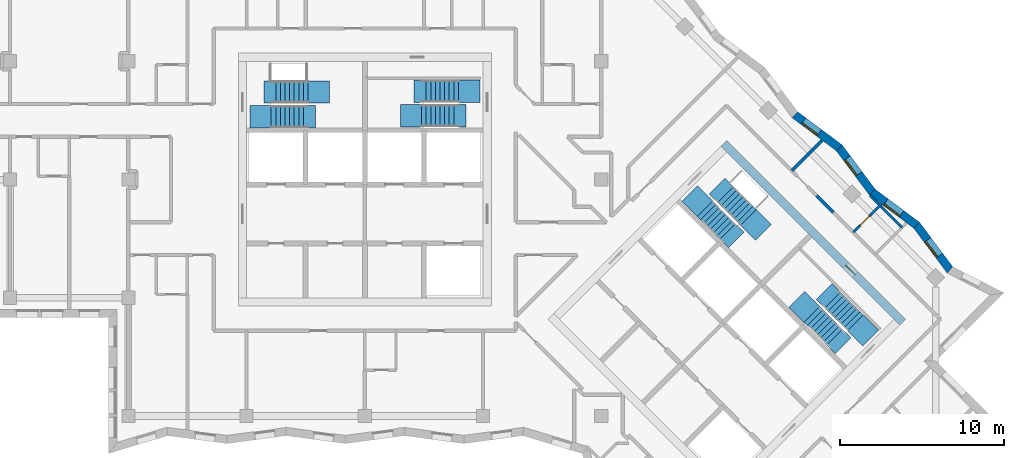
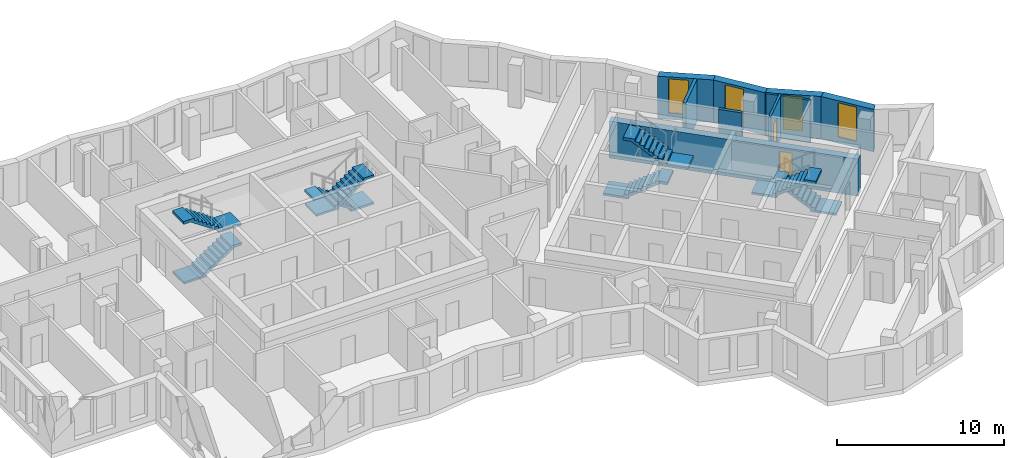
# One storey, part 9 of 12: 9 walls, 8 stair flights, 4 windows, 2 doors, 6 openings, 4 elements without a shape of their own.
"""IFC4 building model written with IfcOpenShell, lengths in metres."""

from ifc_helpers import new_model, si_unit, direction, frame, frame_2d, origin, place, context, subcontext, project, spatial, polyline, rectangle, outline, extrude, material, layer, layer_set, type_object, element, fill, aggregate, save


model = new_model("IFC4")

# Units and contexts
model_context = context("Model", 3, precision=1e-05, world=origin(), true_north=direction((0.0, 1.0)))
body_context = subcontext(model_context, "Body", "Model", "MODEL_VIEW")
ifc_project = project(units=[si_unit("LENGTHUNIT", "METRE"), si_unit("AREAUNIT", "SQUARE_METRE"), si_unit("VOLUMEUNIT", "CUBIC_METRE"), si_unit("PLANEANGLEUNIT", "RADIAN"), si_unit("MASSUNIT", "GRAM", prefix="KILO")], contexts=[model_context])

# Site, building, storey
site_placement = place(None, origin())
site = spatial("IfcSite", under=ifc_project, at=site_placement, CompositionType="ELEMENT")
building_placement = place(site_placement, origin())
building = spatial("IfcBuilding", under=site, at=building_placement, Name="Windrow Commons", CompositionType="ELEMENT")
storey_placement = place(building_placement, frame((0.0, 0.0, 210.0)))
storey = spatial("IfcBuildingStorey", under=building, at=storey_placement, Name="L57", CompositionType="ELEMENT", Elevation=210.0)

# Wall, opening, window
ifc_material_1 = material(Name="Brick masonry, red clay brick", Category="masonry")
ifc_layer_1 = layer(ifc_material_1, 0.5)
ifc_layer_set_1 = layer_set([ifc_layer_1], Name="Brick facade wall 500")
wall_type_1 = type_object("IfcWallType", Name="Brick facade wall 500", PredefinedType="SOLIDWALL", material=ifc_layer_set_1)
wall_1_placement = place(storey_placement, frame((100.4355, 52.0999, 0.0), z_axis=(0.0, 0.0, 1.0), x_axis=(-0.5986733779, 0.8009932501, 0.0)))
wall_1 = element("IfcWall", 1, at=wall_1_placement, inside=storey, type_object=wall_type_1, Name="Brick facade wall L57 8", PredefinedType="SOLIDWALL", context=body_context, shape_type="SweptSolid", body=[
    extrude(outline(polyline([(0.0582, -0.25), (3.4274, -0.25), (3.3551, 0.25), (-0.0582, 0.25), (0.0582, -0.25)])), origin(), (0.0, 0.0, 1.0), 3.1),
])
opening_1_placement = place(wall_1_placement, frame((1.0775, 0.0, 0.45)))
opening_1 = element("IfcOpeningElement", 2, at=opening_1_placement, cuts=wall_1, Name="Opening W7E", PredefinedType="OPENING", context=body_context, shape_type="SweptSolid", body=[
    extrude(rectangle(XDim=1.2, YDim=2.5, at=frame_2d((0.6, 1.25))), frame((0.0, 0.26, 0.0), z_axis=(0.0, -1.0, 0.0), x_axis=(1.0, 0.0, 0.0)), (0.0, 0.0, 1.0), 0.52),
])
ifc_material_2 = material(Name="Clear float glass in anodised aluminium frame", Category="aluminium")
window_type = type_object("IfcWindowType", Name="Window W7 notch 1200x2500", PartitioningType="SINGLE_PANEL", PredefinedType="WINDOW", material=ifc_material_2)
window_1_placement = place(opening_1_placement, origin())
window_1 = element("IfcWindow", 3, at=window_1_placement, inside=storey, type_object=window_type, Name="Window L57 8.1", OverallHeight=2.5, OverallWidth=1.2, PartitioningType="SINGLE_PANEL", PredefinedType="WINDOW", context=body_context, shape_type="SweptSolid", body=[
    extrude(rectangle(XDim=1.2, YDim=2.5, at=frame_2d((0.6, 1.25))), frame((0.0, 0.18, 0.0), z_axis=(0.0, -1.0, 0.0), x_axis=(1.0, 0.0, 0.0)), (0.0, 0.0, 1.0), 0.06),
])
fill(opening_1, window_1)

wall_2_placement = place(storey_placement, frame((98.4053, 54.8162, 0.0), z_axis=(0.0, 0.0, 1.0), x_axis=(-0.8009854957, 0.5986837527, 0.0)))
wall_2 = element("IfcWall", 4, at=wall_2_placement, inside=storey, type_object=wall_type_1, Name="Brick facade wall L57 9", PredefinedType="SOLIDWALL", context=body_context, shape_type="SweptSolid", body=[
    extrude(outline(polyline([(-0.0361, -0.25), (3.333, -0.25), (3.4053, 0.25), (0.0361, 0.25), (-0.0361, -0.25)])), origin(), (0.0, 0.0, 1.0), 3.1),
])
opening_2_placement = place(wall_2_placement, frame((1.1528, 0.0, 0.45)))
opening_2 = element("IfcOpeningElement", 5, at=opening_2_placement, cuts=wall_2, Name="Opening W7E", PredefinedType="OPENING", context=body_context, shape_type="SweptSolid", body=[
    extrude(rectangle(XDim=1.2, YDim=2.5, at=frame_2d((0.6, 1.25))), frame((0.0, 0.26, 0.0), z_axis=(0.0, -1.0, 0.0), x_axis=(1.0, 0.0, 0.0)), (0.0, 0.0, 1.0), 0.52),
])
window_2_placement = place(opening_2_placement, origin())
window_2 = element("IfcWindow", 6, at=window_2_placement, inside=storey, type_object=window_type, Name="Window L57 9.1", OverallHeight=2.5, OverallWidth=1.2, PartitioningType="SINGLE_PANEL", PredefinedType="WINDOW", context=body_context, shape_type="SweptSolid", body=[
    extrude(rectangle(XDim=1.2, YDim=2.5, at=frame_2d((0.6, 1.25))), frame((0.0, 0.18, 0.0), z_axis=(0.0, -1.0, 0.0), x_axis=(1.0, 0.0, 0.0)), (0.0, 0.0, 1.0), 0.06),
])
fill(opening_2, window_2)

wall_3_placement = place(storey_placement, frame((95.7066, 56.8333, 0.0), z_axis=(0.0, 0.0, 1.0), x_axis=(-0.5986647099, 0.8009997286, 0.0)))
wall_3 = element("IfcWall", 7, at=wall_3_placement, inside=storey, type_object=wall_type_1, Name="Brick facade wall L57 10", PredefinedType="SOLIDWALL", context=body_context, shape_type="SweptSolid", body=[
    extrude(outline(polyline([(0.0361, -0.25), (3.4053, -0.25), (3.333, 0.25), (-0.0361, 0.25), (0.0361, -0.25)])), origin(), (0.0, 0.0, 1.0), 3.1),
])
opening_3_placement = place(wall_3_placement, frame((1.3689, 0.0, 0.45)))
opening_3 = element("IfcOpeningElement", 8, at=opening_3_placement, cuts=wall_3, Name="Opening W7E", PredefinedType="OPENING", context=body_context, shape_type="SweptSolid", body=[
    extrude(rectangle(XDim=1.2, YDim=2.5, at=frame_2d((0.6, 1.25))), frame((0.0, 0.26, 0.0), z_axis=(0.0, -1.0, 0.0), x_axis=(1.0, 0.0, 0.0)), (0.0, 0.0, 1.0), 0.52),
])
window_3_placement = place(opening_3_placement, origin())
window_3 = element("IfcWindow", 9, at=window_3_placement, inside=storey, type_object=window_type, Name="Window L57 10.1", OverallHeight=2.5, OverallWidth=1.2, PartitioningType="SINGLE_PANEL", PredefinedType="WINDOW", context=body_context, shape_type="SweptSolid", body=[
    extrude(rectangle(XDim=1.2, YDim=2.5, at=frame_2d((0.6, 1.25))), frame((0.0, 0.18, 0.0), z_axis=(0.0, -1.0, 0.0), x_axis=(1.0, 0.0, 0.0)), (0.0, 0.0, 1.0), 0.06),
])
fill(opening_3, window_3)

wall_4_placement = place(storey_placement, frame((93.6896, 59.532, 0.0), z_axis=(0.0, 0.0, 1.0), x_axis=(-0.8009997286, 0.5986647099, 0.0)))
wall_4 = element("IfcWall", 10, at=wall_4_placement, inside=storey, type_object=wall_type_1, Name="Brick facade wall L57 11", PredefinedType="SOLIDWALL", context=body_context, shape_type="SweptSolid", body=[
    extrude(outline(polyline([(-0.0361, -0.25), (3.333, -0.25), (3.4053, 0.25), (0.0361, 0.25), (-0.0361, -0.25)])), origin(), (0.0, 0.0, 1.0), 3.1),
])
opening_4_placement = place(wall_4_placement, frame((1.5211, 0.0, 0.45)))
opening_4 = element("IfcOpeningElement", 11, at=opening_4_placement, cuts=wall_4, Name="Opening W7E", PredefinedType="OPENING", context=body_context, shape_type="SweptSolid", body=[
    extrude(rectangle(XDim=1.2, YDim=2.5, at=frame_2d((0.6, 1.25))), frame((0.0, 0.26, 0.0), z_axis=(0.0, -1.0, 0.0), x_axis=(1.0, 0.0, 0.0)), (0.0, 0.0, 1.0), 0.52),
])
window_4_placement = place(opening_4_placement, origin())
window_4 = element("IfcWindow", 12, at=window_4_placement, inside=storey, type_object=window_type, Name="Window L57 11.1", OverallHeight=2.5, OverallWidth=1.2, PartitioningType="SINGLE_PANEL", PredefinedType="WINDOW", context=body_context, shape_type="SweptSolid", body=[
    extrude(rectangle(XDim=1.2, YDim=2.5, at=frame_2d((0.6, 1.25))), frame((0.0, 0.18, 0.0), z_axis=(0.0, -1.0, 0.0), x_axis=(1.0, 0.0, 0.0)), (0.0, 0.0, 1.0), 0.06),
])
fill(opening_4, window_4)

# Walls
ifc_material_3 = material(Name="Blockwork partition", Category="masonry")
ifc_layer_2 = layer(ifc_material_3, 0.2)
ifc_layer_set_2 = layer_set([ifc_layer_2], Name="IW-CORRIDOR-200")
wall_type_2 = type_object("IfcWallType", Name="IW-CORRIDOR-200", PredefinedType="PARTITIONING", material=ifc_layer_set_2)
wall_5_placement = place(storey_placement, frame((92.3106, 56.6266, 0.0), z_axis=(0.0, 0.0, 1.0), x_axis=(0.7077922938, -0.7064206033, 0.0)))
element("IfcWall", 13, at=wall_5_placement, inside=storey, type_object=wall_type_2, Name="W-L57-W122", PredefinedType="PARTITIONING", context=body_context, shape_type="SweptSolid", body=[
    extrude(rectangle(XDim=1.4581, YDim=0.2, at=frame_2d((0.729, 0.0))), origin(), (0.0, 0.0, 1.0), 3.1),
])
ifc_material_4 = material(Name="Blockwork partition", Category="masonry")
ifc_layer_3 = layer(ifc_material_4, 0.15)
ifc_layer_set_3 = layer_set([ifc_layer_3], Name="IW-ENSUITE-150")
wall_type_3 = type_object("IfcWallType", Name="IW-ENSUITE-150", PredefinedType="PARTITIONING", material=ifc_layer_set_3)
wall_6_placement = place(storey_placement, frame((95.5668, 56.6167, 0.0), z_axis=(0.0, 0.0, 1.0), x_axis=(0.7071249683, -0.7070885936, 0.0)))
element("IfcWall", 14, at=wall_6_placement, inside=storey, type_object=wall_type_3, Name="W-L57-W053", PredefinedType="PARTITIONING", context=body_context, shape_type="SweptSolid", body=[
    extrude(rectangle(XDim=2.7492, YDim=0.15, at=frame_2d((1.3746, 0.0))), origin(), (0.0, 0.0, 1.0), 3.1),
])

# Wall, opening, door
wall_7_placement = place(storey_placement, frame((94.5438, 54.3942, 0.0), z_axis=(0.0, 0.0, 1.0), x_axis=(0.7070861601, 0.7071274017, 0.0)))
wall_7 = element("IfcWall", 15, at=wall_7_placement, inside=storey, type_object=wall_type_3, Name="W-L57-W084", PredefinedType="PARTITIONING", context=body_context, shape_type="SweptSolid", body=[
    extrude(rectangle(XDim=2.4247, YDim=0.15, at=frame_2d((1.2124, 0.0))), origin(), (0.0, 0.0, 1.0), 3.1),
])
opening_5_placement = place(wall_7_placement, frame((0.5941, 0.0, 0.0)))
opening_5 = element("IfcOpeningElement", 16, at=opening_5_placement, cuts=wall_7, Name="Opening D208N", PredefinedType="OPENING", context=body_context, shape_type="SweptSolid", body=[
    extrude(rectangle(XDim=0.8, YDim=2.1, at=frame_2d((0.4, 1.05))), frame((0.0, 0.085, 0.0), z_axis=(0.0, -1.0, 0.0), x_axis=(1.0, 0.0, 0.0)), (0.0, 0.0, 1.0), 0.17),
])
ifc_material_5 = material(Name="Timber door leaf", Category="wood")
door_type_1 = type_object("IfcDoorType", Name="DT-ENSUITE-800", OperationType="SINGLE_SWING_LEFT", PredefinedType="DOOR", material=ifc_material_5)
door_1_placement = place(opening_5_placement, origin())
door_1 = element("IfcDoor", 17, at=door_1_placement, inside=storey, type_object=door_type_1, Name="D-L57-D038", OperationType="SINGLE_SWING_RIGHT", OverallHeight=2.1, OverallWidth=0.8, PredefinedType="DOOR", context=body_context, shape_type="SweptSolid", body=[
    extrude(rectangle(XDim=0.8, YDim=2.1, at=frame_2d((0.4, 1.05))), frame((0.0, 0.025, 0.0), z_axis=(0.0, -1.0, 0.0), x_axis=(1.0, 0.0, 0.0)), (0.0, 0.0, 1.0), 0.05),
])
fill(opening_5, door_1)

# Wall
ifc_material_6 = material(Name="Blockwork partition", Category="masonry")
ifc_layer_4 = layer(ifc_material_6, 0.2)
ifc_layer_set_4 = layer_set([ifc_layer_4], Name="IW-PARTY-200")
wall_type_4 = type_object("IfcWallType", Name="IW-PARTY-200", PredefinedType="PARTITIONING", material=ifc_layer_set_4)
wall_8_placement = place(storey_placement, frame((90.7972, 58.1388, 0.0), z_axis=(0.0, 0.0, 1.0), x_axis=(0.7066493538, 0.7075639129, 0.0)))
element("IfcWall", 18, at=wall_8_placement, inside=storey, type_object=wall_type_4, Name="W-L57-W058", PredefinedType="PARTITIONING", context=body_context, shape_type="SweptSolid", body=[
    extrude(rectangle(XDim=2.6242, YDim=0.2, at=frame_2d((1.3121, 0.0))), origin(), (0.0, 0.0, 1.0), 3.1),
])

# Wall, opening, door
ifc_material_7 = material(Name="Concrete C40/50", Category="concrete")
ifc_layer_5 = layer(ifc_material_7, 0.5)
ifc_layer_set_5 = layer_set([ifc_layer_5], Name="RC CORE WALL 500 C40/50")
wall_type_5 = type_object("IfcWallType", Name="RC CORE WALL 500 C40/50", PredefinedType="SHEAR", material=ifc_layer_set_5)
wall_9_placement = place(storey_placement, frame((86.66, 59.8024, -0.3), z_axis=(0.0, 0.0, 1.0), x_axis=(0.7071067812, -0.7071067812, 0.0)))
wall_9 = element("IfcWall", 19, at=wall_9_placement, inside=storey, type_object=wall_type_5, Name="Core B wall outer-N", PredefinedType="SHEAR", context=body_context, shape_type="SweptSolid", body=[
    extrude(rectangle(XDim=15.3999, YDim=0.5, at=frame_2d((7.7, 0.0))), origin(), (0.0, 0.0, 1.0), 2.7),
])
opening_6_placement = place(wall_9_placement, frame((10.5, 0.0, 0.3)))
opening_6 = element("IfcOpeningElement", 20, at=opening_6_placement, cuts=wall_9, Name="Opening D9", PredefinedType="OPENING", context=body_context, shape_type="SweptSolid", body=[
    extrude(rectangle(XDim=0.8, YDim=2.1, at=frame_2d((0.4, 1.05))), frame((0.0, 0.26, 0.0), z_axis=(0.0, -1.0, 0.0), x_axis=(1.0, 0.0, 0.0)), (0.0, 0.0, 1.0), 0.52),
])
ifc_material_8 = material(Name="Steel fire door leaf", Category="steel")
door_type_2 = type_object("IfcDoorType", Name="Riser access door 800", OperationType="SINGLE_SWING_LEFT", PredefinedType="DOOR", material=ifc_material_8)
door_2_placement = place(opening_6_placement, origin())
door_2 = element("IfcDoor", 21, at=door_2_placement, inside=storey, type_object=door_type_2, Name="Riser access door", OperationType="SINGLE_SWING_RIGHT", OverallHeight=2.1, OverallWidth=0.8, PredefinedType="DOOR", context=body_context, shape_type="SweptSolid", body=[
    extrude(rectangle(XDim=0.8, YDim=2.1, at=frame_2d((0.4, 1.05))), frame((0.0, 0.025, 0.0), z_axis=(0.0, -1.0, 0.0), x_axis=(1.0, 0.0, 0.0)), (0.0, 0.0, 1.0), 0.05),
])
fill(opening_6, door_2)

# Stair, stair flights
ifc_material_9 = material(Name="Concrete C40/50", Category="concrete")
stair_type = type_object("IfcStairType", Name="Core stair", PredefinedType="HALF_TURN_STAIR", material=ifc_material_9)
placement = place(storey_placement, origin())
stair_1 = element("IfcStair", 22, at=placement, inside=storey, type_object=stair_type, Name="L57 Exit stair A1 core A", PredefinedType="HALF_TURN_STAIR")
ifc_material_10 = material(Name="Concrete C40/50", Category="concrete")
stair_flight_type = type_object("IfcStairFlightType", Name="Core stair flight", PredefinedType="STRAIGHT", material=ifc_material_10)
stair_flight_1_placement = place(storey_placement, frame((59.1, 61.425, 0.0), z_axis=(0.0, 0.0, 1.0), x_axis=(1.0, 0.0, 0.0)))
stair_flight_1 = element("IfcStairFlight", 23, at=stair_flight_1_placement, type_object=stair_flight_type, Name="ST-A1 flight 1", NumberOfRisers=9, NumberOfTreads=8, PredefinedType="STRAIGHT", RiserHeight=0.188888889, TreadLength=0.28, context=body_context, shape_type="SweptSolid", body=[
    extrude(outline(polyline([(-1.3, -0.15), (-1.3, 0.0), (0.0, 0.0), (0.0, 0.1889), (0.28, 0.1889), (0.28, 0.3778), (0.56, 0.3778), (0.56, 0.5667), (0.84, 0.5667), (0.84, 0.7556), (1.12, 0.7556), (1.12, 0.9444), (1.4, 0.9444), (1.4, 1.1333), (1.68, 1.1333), (1.68, 1.3222), (1.96, 1.3222), (1.96, 1.5111), (2.24, 1.5111), (2.69, 1.5111), (2.69, 1.3111), (2.24, 1.3111), (2.24, 1.3302), (0.2682, 0.0), (0.2682, -0.15), (-1.3, -0.15)])), frame((0.0, 0.675, 0.0), z_axis=(0.0, -1.0, 0.0), x_axis=(1.0, 0.0, 0.0)), (0.0, 0.0, 1.0), 1.35),
])
stair_flight_2_placement = place(storey_placement, frame((61.34, 62.925, 1.7), z_axis=(0.0, 0.0, 1.0), x_axis=(-1.0, 0.0, 0.0)))
stair_flight_2 = element("IfcStairFlight", 24, at=stair_flight_2_placement, type_object=stair_flight_type, Name="ST-A1 flight 2", NumberOfRisers=9, NumberOfTreads=8, PredefinedType="STRAIGHT", RiserHeight=0.188888889, TreadLength=0.28, context=body_context, shape_type="SweptSolid", body=[
    extrude(outline(polyline([(-1.3, -0.15), (-1.3, 0.0), (0.0, 0.0), (0.0, 0.1889), (0.28, 0.1889), (0.28, 0.3778), (0.56, 0.3778), (0.56, 0.5667), (0.84, 0.5667), (0.84, 0.7556), (1.12, 0.7556), (1.12, 0.9444), (1.4, 0.9444), (1.4, 1.1333), (1.68, 1.1333), (1.68, 1.3222), (1.96, 1.3222), (1.96, 1.5111), (2.24, 1.5111), (2.69, 1.5111), (2.69, 1.3111), (2.24, 1.3111), (2.24, 1.3302), (0.2682, 0.0), (0.2682, -0.15), (-1.3, -0.15)])), frame((0.0, 0.675, 0.0), z_axis=(0.0, -1.0, 0.0), x_axis=(1.0, 0.0, 0.0)), (0.0, 0.0, 1.0), 1.35),
])
aggregate(stair_1, [stair_flight_1, stair_flight_2])

stair_2 = element("IfcStair", 25, at=placement, inside=storey, type_object=stair_type, Name="L57 Exit stair A2 core A", PredefinedType="HALF_TURN_STAIR")
stair_flight_3_placement = place(storey_placement, frame((70.5, 62.98, 0.0), z_axis=(0.0, 0.0, 1.0), x_axis=(-1.0, 0.0, 0.0)))
stair_flight_3 = element("IfcStairFlight", 26, at=stair_flight_3_placement, type_object=stair_flight_type, Name="ST-A2 flight 1", NumberOfRisers=9, NumberOfTreads=8, PredefinedType="STRAIGHT", RiserHeight=0.188888889, TreadLength=0.28, context=body_context, shape_type="SweptSolid", body=[
    extrude(outline(polyline([(-1.3, -0.15), (-1.3, 0.0), (0.0, 0.0), (0.0, 0.1889), (0.28, 0.1889), (0.28, 0.3778), (0.56, 0.3778), (0.56, 0.5667), (0.84, 0.5667), (0.84, 0.7556), (1.12, 0.7556), (1.12, 0.9444), (1.4, 0.9444), (1.4, 1.1333), (1.68, 1.1333), (1.68, 1.3222), (1.96, 1.3222), (1.96, 1.5111), (2.24, 1.5111), (2.69, 1.5111), (2.69, 1.3111), (2.24, 1.3111), (2.24, 1.3302), (0.2682, 0.0), (0.2682, -0.15), (-1.3, -0.15)])), frame((0.0, 0.675, 0.0), z_axis=(0.0, -1.0, 0.0), x_axis=(1.0, 0.0, 0.0)), (0.0, 0.0, 1.0), 1.35),
])
stair_flight_4_placement = place(storey_placement, frame((68.26, 61.48, 1.7), z_axis=(0.0, 0.0, 1.0), x_axis=(1.0, 0.0, 0.0)))
stair_flight_4 = element("IfcStairFlight", 27, at=stair_flight_4_placement, type_object=stair_flight_type, Name="ST-A2 flight 2", NumberOfRisers=9, NumberOfTreads=8, PredefinedType="STRAIGHT", RiserHeight=0.188888889, TreadLength=0.28, context=body_context, shape_type="SweptSolid", body=[
    extrude(outline(polyline([(-1.3, -0.15), (-1.3, 0.0), (0.0, 0.0), (0.0, 0.1889), (0.28, 0.1889), (0.28, 0.3778), (0.56, 0.3778), (0.56, 0.5667), (0.84, 0.5667), (0.84, 0.7556), (1.12, 0.7556), (1.12, 0.9444), (1.4, 0.9444), (1.4, 1.1333), (1.68, 1.1333), (1.68, 1.3222), (1.96, 1.3222), (1.96, 1.5111), (2.24, 1.5111), (2.69, 1.5111), (2.69, 1.3111), (2.24, 1.3111), (2.24, 1.3302), (0.2682, 0.0), (0.2682, -0.15), (-1.3, -0.15)])), frame((0.0, 0.675, 0.0), z_axis=(0.0, -1.0, 0.0), x_axis=(1.0, 0.0, 0.0)), (0.0, 0.0, 1.0), 1.35),
])
aggregate(stair_2, [stair_flight_3, stair_flight_4])

stair_3 = element("IfcStair", 28, at=placement, inside=storey, type_object=stair_type, Name="L57 Exit stair B1 core B", PredefinedType="HALF_TURN_STAIR")
stair_flight_5_placement = place(storey_placement, frame((85.5109, 55.8249, 0.0), z_axis=(0.0, 0.0, 1.0), x_axis=(0.7071067812, -0.7071067812, 0.0)))
stair_flight_5 = element("IfcStairFlight", 29, at=stair_flight_5_placement, type_object=stair_flight_type, Name="ST-B1 flight 1", NumberOfRisers=9, NumberOfTreads=8, PredefinedType="STRAIGHT", RiserHeight=0.188888889, TreadLength=0.28, context=body_context, shape_type="SweptSolid", body=[
    extrude(outline(polyline([(-1.3, -0.15), (-1.3, 0.0), (0.0, 0.0), (0.0, 0.1889), (0.28, 0.1889), (0.28, 0.3778), (0.56, 0.3778), (0.56, 0.5667), (0.84, 0.5667), (0.84, 0.7556), (1.12, 0.7556), (1.12, 0.9444), (1.4, 0.9444), (1.4, 1.1333), (1.68, 1.1333), (1.68, 1.3222), (1.96, 1.3222), (1.96, 1.5111), (2.24, 1.5111), (2.69, 1.5111), (2.69, 1.3111), (2.24, 1.3111), (2.24, 1.3302), (0.2682, 0.0), (0.2682, -0.15), (-1.3, -0.15)])), frame((0.0, 0.675, 0.0), z_axis=(0.0, -1.0, 0.0), x_axis=(1.0, 0.0, 0.0)), (0.0, 0.0, 1.0), 1.35),
])
stair_flight_6_placement = place(storey_placement, frame((88.1555, 55.3017, 1.7), z_axis=(0.0, 0.0, 1.0), x_axis=(-0.7071067812, 0.7071067812, 0.0)))
stair_flight_6 = element("IfcStairFlight", 30, at=stair_flight_6_placement, type_object=stair_flight_type, Name="ST-B1 flight 2", NumberOfRisers=9, NumberOfTreads=8, PredefinedType="STRAIGHT", RiserHeight=0.188888889, TreadLength=0.28, context=body_context, shape_type="SweptSolid", body=[
    extrude(outline(polyline([(-1.3, -0.15), (-1.3, 0.0), (0.0, 0.0), (0.0, 0.1889), (0.28, 0.1889), (0.28, 0.3778), (0.56, 0.3778), (0.56, 0.5667), (0.84, 0.5667), (0.84, 0.7556), (1.12, 0.7556), (1.12, 0.9444), (1.4, 0.9444), (1.4, 1.1333), (1.68, 1.1333), (1.68, 1.3222), (1.96, 1.3222), (1.96, 1.5111), (2.24, 1.5111), (2.69, 1.5111), (2.69, 1.3111), (2.24, 1.3111), (2.24, 1.3302), (0.2682, 0.0), (0.2682, -0.15), (-1.3, -0.15)])), frame((0.0, 0.675, 0.0), z_axis=(0.0, -1.0, 0.0), x_axis=(1.0, 0.0, 0.0)), (0.0, 0.0, 1.0), 1.35),
])
aggregate(stair_3, [stair_flight_5, stair_flight_6])

stair_4 = element("IfcStair", 31, at=placement, inside=storey, type_object=stair_type, Name="L57 Exit stair B2 core B", PredefinedType="HALF_TURN_STAIR")
stair_flight_7_placement = place(storey_placement, frame((94.6715, 48.8635, 0.0), z_axis=(0.0, 0.0, 1.0), x_axis=(-0.7071067812, 0.7071067812, 0.0)))
stair_flight_7 = element("IfcStairFlight", 32, at=stair_flight_7_placement, type_object=stair_flight_type, Name="ST-B2 flight 1", NumberOfRisers=9, NumberOfTreads=8, PredefinedType="STRAIGHT", RiserHeight=0.188888889, TreadLength=0.28, context=body_context, shape_type="SweptSolid", body=[
    extrude(outline(polyline([(-1.3, -0.15), (-1.3, 0.0), (0.0, 0.0), (0.0, 0.1889), (0.28, 0.1889), (0.28, 0.3778), (0.56, 0.3778), (0.56, 0.5667), (0.84, 0.5667), (0.84, 0.7556), (1.12, 0.7556), (1.12, 0.9444), (1.4, 0.9444), (1.4, 1.1333), (1.68, 1.1333), (1.68, 1.3222), (1.96, 1.3222), (1.96, 1.5111), (2.24, 1.5111), (2.69, 1.5111), (2.69, 1.3111), (2.24, 1.3111), (2.24, 1.3302), (0.2682, 0.0), (0.2682, -0.15), (-1.3, -0.15)])), frame((0.0, 0.675, 0.0), z_axis=(0.0, -1.0, 0.0), x_axis=(1.0, 0.0, 0.0)), (0.0, 0.0, 1.0), 1.35),
])
stair_flight_8_placement = place(storey_placement, frame((92.0269, 49.3867, 1.7), z_axis=(0.0, 0.0, 1.0), x_axis=(0.7071067812, -0.7071067812, 0.0)))
stair_flight_8 = element("IfcStairFlight", 33, at=stair_flight_8_placement, type_object=stair_flight_type, Name="ST-B2 flight 2", NumberOfRisers=9, NumberOfTreads=8, PredefinedType="STRAIGHT", RiserHeight=0.188888889, TreadLength=0.28, context=body_context, shape_type="SweptSolid", body=[
    extrude(outline(polyline([(-1.3, -0.15), (-1.3, 0.0), (0.0, 0.0), (0.0, 0.1889), (0.28, 0.1889), (0.28, 0.3778), (0.56, 0.3778), (0.56, 0.5667), (0.84, 0.5667), (0.84, 0.7556), (1.12, 0.7556), (1.12, 0.9444), (1.4, 0.9444), (1.4, 1.1333), (1.68, 1.1333), (1.68, 1.3222), (1.96, 1.3222), (1.96, 1.5111), (2.24, 1.5111), (2.69, 1.5111), (2.69, 1.3111), (2.24, 1.3111), (2.24, 1.3302), (0.2682, 0.0), (0.2682, -0.15), (-1.3, -0.15)])), frame((0.0, 0.675, 0.0), z_axis=(0.0, -1.0, 0.0), x_axis=(1.0, 0.0, 0.0)), (0.0, 0.0, 1.0), 1.35),
])
aggregate(stair_4, [stair_flight_7, stair_flight_8])

save(model, "model.ifc")
